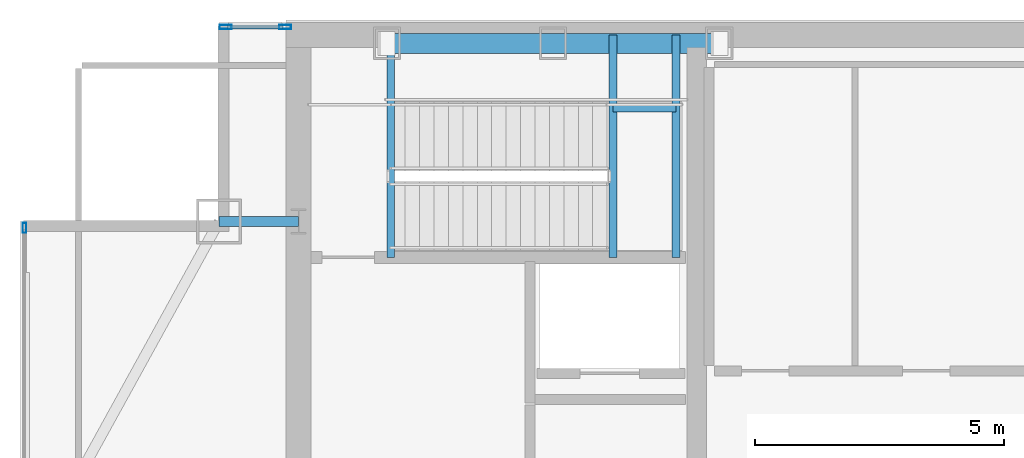
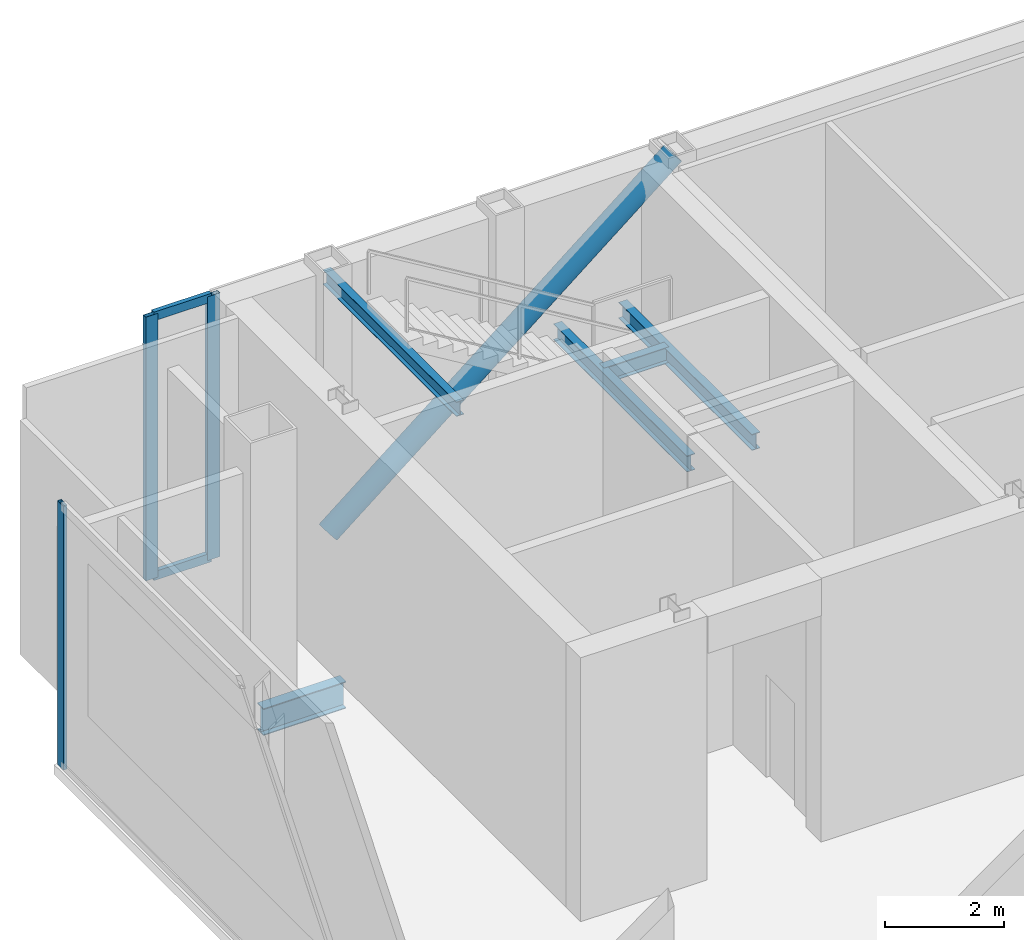
# One storey, part 16 of 22: 6 members, 5 beams, 2 elements without a shape of their own.
"""IFC4 building model written with IfcOpenShell, lengths in metres."""

from ifc_helpers import new_model, si_unit, direction, frame, origin, origin_2d, place, context, subcontext, project, spatial, hollow_rectangle, hollow_circle, i_section, extrude, material, material_profile, profile_set, type_object, element, aggregate, save


model = new_model("IFC4")

# Units and contexts
model_context = context("Model", 3, precision=1e-05, world=origin(), true_north=direction((0.0, 1.0)))
body_context = subcontext(model_context, "Body", "Model", "MODEL_VIEW")
ifc_project = project(units=[si_unit("LENGTHUNIT", "METRE"), si_unit("AREAUNIT", "SQUARE_METRE"), si_unit("VOLUMEUNIT", "CUBIC_METRE"), si_unit("PLANEANGLEUNIT", "RADIAN"), si_unit("MASSUNIT", "GRAM", prefix="KILO")], contexts=[model_context])

# Site, building, storey
site_placement = place(None, origin())
site = spatial("IfcSite", under=ifc_project, at=site_placement, CompositionType="ELEMENT")
building_placement = place(site_placement, origin())
building = spatial("IfcBuilding", under=site, at=building_placement, Name="Khoronbel Lancet Exchange", CompositionType="ELEMENT")
storey_placement = place(building_placement, frame((0.0, 0.0, 361.800048828125)))
storey = spatial("IfcBuildingStorey", under=building, at=storey_placement, Name="L93", CompositionType="ELEMENT", Elevation=361.800048828125)

# Beams
ifc_material_1 = material(Name="Steel S355", Category="steel")
ifc_material_profile_1 = material_profile(ifc_material_1, i_section(OverallWidth=0.159912109375, OverallDepth=0.330078125, WebThickness=0.007568359375, FlangeThickness=0.011474609375, at=origin_2d()), Name="IPE 330")
ifc_profile_set_1 = profile_set([ifc_material_profile_1], Name="Steel S355")
beam_type_1 = type_object("IfcBeamType", Name="BM-BJ7", PredefinedType="JOIST", material=ifc_profile_set_1)
for number, where, z_axis, x_axis, name in (
    (1, (22.77001953125, 48.97998046875, 2.43505859375), (0.0, 1.0, 0.0), (-1.0, 0.0, 0.0), "Level L93 stair ST1 landing bearer beam 1"),
    (2, (24.030029296875, 48.97998046875, 2.43505859375), (0.0, 1.0, 0.0), (-1.0, 0.0, 0.0), "Level L93 stair ST1 rear landing bearer beam 1"),
):
    element("IfcBeam", number, at=place(storey_placement, frame(where, z_axis=z_axis, x_axis=x_axis)), inside=storey, type_object=beam_type_1, Name=name, PredefinedType="JOIST", context=body_context, shape_type="SweptSolid", body=[
        extrude(i_section(OverallWidth=0.159912109375, OverallDepth=0.330078125, WebThickness=0.007568359375, FlangeThickness=0.011474609375, at=origin_2d()), origin(), (0.0, 0.0, 1.0), 4.469970703125),
    ])
beam_1_placement = place(storey_placement, frame((22.77001953125, 51.97998046875, 2.43505859375), z_axis=(1.0, 0.0, 0.0), x_axis=(0.0, 1.0, 0.0)))
element("IfcBeam", 3, at=beam_1_placement, inside=storey, type_object=beam_type_1, Name="Level L93 stair ST1 landing cross trimmer beam 1", PredefinedType="JOIST", context=body_context, shape_type="SweptSolid", body=[
    extrude(i_section(OverallWidth=0.159912109375, OverallDepth=0.330078125, WebThickness=0.007568359375, FlangeThickness=0.011474609375, at=origin_2d()), origin(), (0.0, 0.0, 1.0), 1.260009765625),
])
ifc_material_profile_2 = material_profile(ifc_material_1, i_section(OverallWidth=0.14990234375, OverallDepth=0.300048828125, WebThickness=0.007080078125, FlangeThickness=0.0107421875, at=origin_2d()), Name="IPE 300")
ifc_profile_set_2 = profile_set([ifc_material_profile_2], Name="Steel S355")
beam_type_2 = type_object("IfcBeamType", Name="BM-BJ8", PredefinedType="JOIST", material=ifc_profile_set_2)
beam_2_placement = place(storey_placement, frame((18.300048828125, 48.97998046875, 5.119873046875), z_axis=(0.0, 1.0, 0.0), x_axis=(-1.0, 0.0, 0.0)))
element("IfcBeam", 4, at=beam_2_placement, inside=storey, type_object=beam_type_2, Name="Level L93 stair ST1 upper-flight arrival trimmer beam", PredefinedType="JOIST", context=body_context, shape_type="SweptSolid", body=[
    extrude(i_section(OverallWidth=0.14990234375, OverallDepth=0.300048828125, WebThickness=0.007080078125, FlangeThickness=0.0107421875, at=origin_2d()), origin(), (0.0, 0.0, 1.0), 4.469970703125),
])
ifc_material_profile_3 = material_profile(ifc_material_1, i_section(OverallWidth=0.2099609375, OverallDepth=0.550048828125, WebThickness=0.010986328125, FlangeThickness=0.01708984375, at=origin_2d()), Name="IPE 550")
ifc_profile_set_3 = profile_set([ifc_material_profile_3], Name="Steel S355")
beam_type_3 = type_object("IfcBeamType", Name="BM-BSP3", PredefinedType="SPANDREL", material=ifc_profile_set_3)
beam_3_placement = place(storey_placement, frame((14.85009765625, 49.699951171875, -0.47509765625), z_axis=(1.0, 0.0, 0.0), x_axis=(0.0, 1.0, 0.0)))
element("IfcBeam", 5, at=beam_3_placement, inside=storey, type_object=beam_type_3, Name="Level L93 north flank tie spandrel SP20", PredefinedType="SPANDREL", context=body_context, shape_type="SweptSolid", body=[
    extrude(i_section(OverallWidth=0.2099609375, OverallDepth=0.550048828125, WebThickness=0.010986328125, FlangeThickness=0.01708984375, at=origin_2d()), origin(), (0.0, 0.0, 1.0), 1.599853515625),
])

# Curtain wall, members
ifc_material_2 = material(Name="Low-E Solar Control Insulating Glass", Category="glass")
curtain_wall_type = type_object("IfcCurtainWallType", Name="CW-6", PredefinedType="NOTDEFINED", material=ifc_material_2)
curtain_wall_1_placement = place(storey_placement, origin())
curtain_wall_1 = element("IfcCurtainWall", 6, at=curtain_wall_1_placement, inside=storey, type_object=curtain_wall_type, Name="Unitised curtain wall CW-L93-NWFLK", PredefinedType="NOTDEFINED")
ifc_material_3 = material(Name="Bronze-Anodised Aluminium 6063-T6", Category="aluminium")
ifc_material_profile_4 = material_profile(ifc_material_3, hollow_rectangle(XDim=0.0849609375, YDim=0.239990234375, WallThickness=0.006103515625, at=origin_2d()), Name="ALU MULLION 85x240")
ifc_profile_set_4 = profile_set([ifc_material_profile_4], Name="Bronze-Anodised Aluminium 6063-T6")
member_type_1 = type_object("IfcMemberType", Name="MEM-CWM1", PredefinedType="MULLION", material=ifc_profile_set_4)
member_1_placement = place(storey_placement, frame((16.177490234375, 53.610107421875, 0.0), z_axis=(0.0, 0.0, 1.0), x_axis=(0.0, -1.0, 0.0)))
member_1 = element("IfcMember", 7, at=member_1_placement, type_object=member_type_1, Name="CW6 mullion 1", PredefinedType="MULLION", context=body_context, shape_type="SweptSolid", body=[
    extrude(hollow_rectangle(XDim=0.0849609375, YDim=0.239990234375, WallThickness=0.006103515625, at=origin_2d()), origin(), (0.0, 0.0, 1.0), 5.39990234375),
])
member_2_placement = place(storey_placement, frame((14.982421875, 53.610107421875, 0.0), z_axis=(0.0, 0.0, 1.0), x_axis=(0.0, -1.0, 0.0)))
member_2 = element("IfcMember", 8, at=member_2_placement, type_object=member_type_1, Name="CW6 mullion 2", PredefinedType="MULLION", context=body_context, shape_type="SweptSolid", body=[
    extrude(hollow_rectangle(XDim=0.0849609375, YDim=0.239990234375, WallThickness=0.006103515625, at=origin_2d()), origin(), (0.0, 0.0, 1.0), 5.39990234375),
])

# Curtain wall, member
curtain_wall_2_placement = place(storey_placement, origin())
curtain_wall_2 = element("IfcCurtainWall", 9, at=curtain_wall_2_placement, inside=storey, type_object=curtain_wall_type, Name="Unitised curtain wall CW-L93-E03", PredefinedType="NOTDEFINED")
ifc_material_profile_5 = material_profile(ifc_material_3, hollow_rectangle(XDim=0.074951171875, YDim=0.199951171875, WallThickness=0.0048828125, at=origin_2d()), Name="ALU MULLION 75x200")
ifc_profile_set_5 = profile_set([ifc_material_profile_5], Name="Bronze-Anodised Aluminium 6063-T6")
member_type_2 = type_object("IfcMemberType", Name="MEM-CWM2", PredefinedType="MULLION", material=ifc_profile_set_5)
member_3_placement = place(storey_placement, frame((10.93994140625, 49.572509765625, 0.0), z_axis=(0.0, 0.0, 1.0), x_axis=(-1.0, 0.0, 0.0)))
member_3 = element("IfcMember", 10, at=member_3_placement, type_object=member_type_2, Name="CW6 mullion 3", PredefinedType="MULLION", context=body_context, shape_type="SweptSolid", body=[
    extrude(hollow_rectangle(XDim=0.074951171875, YDim=0.199951171875, WallThickness=0.0048828125, at=origin_2d()), origin(), (0.0, 0.0, 1.0), 5.39990234375),
])
aggregate(curtain_wall_2, [member_3])

# Member
ifc_material_profile_6 = material_profile(ifc_material_3, hollow_rectangle(XDim=0.0849609375, YDim=0.179931640625, WallThickness=0.0048828125, at=origin_2d()), Name="ALU TRANSOM 85x180")
ifc_profile_set_6 = profile_set([ifc_material_profile_6], Name="Bronze-Anodised Aluminium 6063-T6")
member_type_3 = type_object("IfcMemberType", Name="MEM-CWT1", PredefinedType="USERDEFINED", material=ifc_profile_set_6)
member_4_placement = place(storey_placement, frame((16.135009765625, 53.610107421875, 0.04248046875), z_axis=(-1.0, 0.0, 0.0), x_axis=(0.0, -1.0, 0.0)))
member_4 = element("IfcMember", 11, at=member_4_placement, type_object=member_type_3, Name="CW6 transom 1.1", ObjectType="TRANSOM", PredefinedType="USERDEFINED", context=body_context, shape_type="SweptSolid", body=[
    extrude(hollow_rectangle(XDim=0.0849609375, YDim=0.179931640625, WallThickness=0.0048828125, at=origin_2d()), origin(), (0.0, 0.0, 1.0), 1.110107421875),
])

member_5_placement = place(storey_placement, frame((16.135009765625, 53.610107421875, 5.357421875), z_axis=(-1.0, 0.0, 0.0), x_axis=(0.0, -1.0, 0.0)))
member_5 = element("IfcMember", 12, at=member_5_placement, type_object=member_type_3, Name="CW6 transom 1.2", ObjectType="TRANSOM", PredefinedType="USERDEFINED", context=body_context, shape_type="SweptSolid", body=[
    extrude(hollow_rectangle(XDim=0.0849609375, YDim=0.179931640625, WallThickness=0.0048828125, at=origin_2d()), origin(), (0.0, 0.0, 1.0), 1.110107421875),
])

aggregate(curtain_wall_1, [member_1, member_2, member_4, member_5])

ifc_material_profile_7 = material_profile(ifc_material_1, hollow_circle(Radius=0.203125, WallThickness=0.02001953125, at=origin_2d()), Name="CHS 406.4x20")
ifc_profile_set_7 = profile_set([ifc_material_profile_7], Name="Steel S355")
member_type_4 = type_object("IfcMemberType", Name="MEM-STR2", PredefinedType="STRUT", material=ifc_profile_set_7)
member_6_placement = place(storey_placement, frame((18.22509765625, 53.280029296875, 0.0), z_axis=(0.776305042624, 0.0, 0.630357423052), x_axis=(0.0, 1.0, 0.0)))
element("IfcMember", 13, at=member_6_placement, inside=storey, type_object=member_type_4, Name="CROWN FRAME diagonal ring brace L93-N1", PredefinedType="STRUT", context=body_context, shape_type="SweptSolid", body=[
    extrude(hollow_circle(Radius=0.203125, WallThickness=0.02001953125, at=origin_2d()), origin(), (0.0, 0.0, 1.0), 8.59814453125),
])

save(model, "model.ifc")
